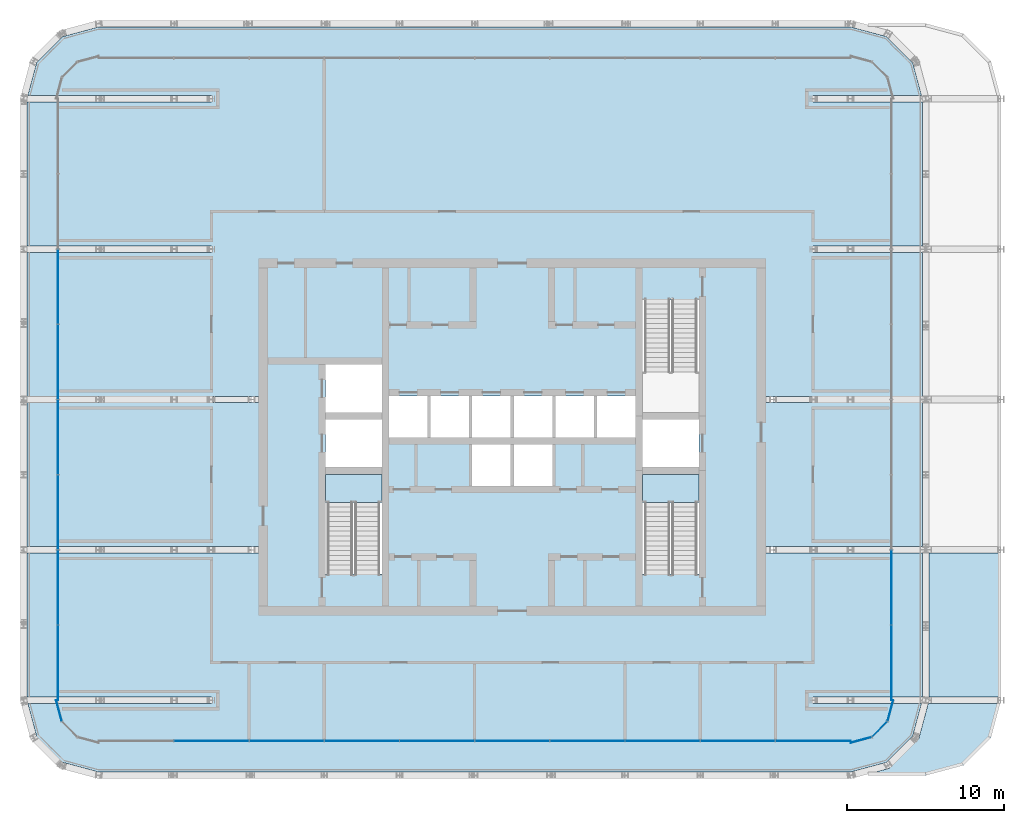
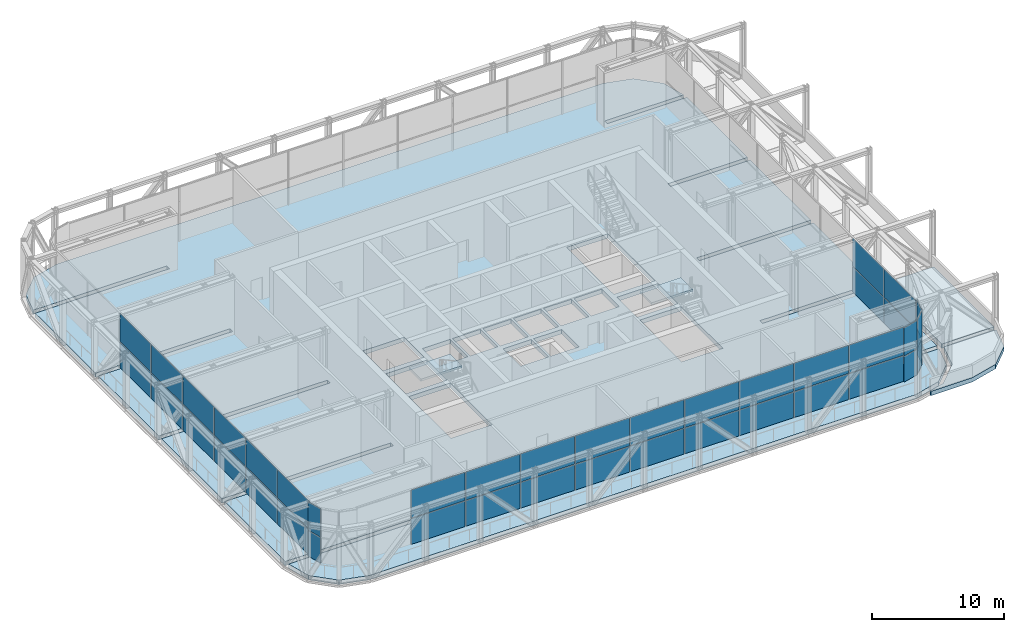
# One storey, part 16 of 26: 42 plates, 5 slabs, 7 elements without a shape of their own.
"""IFC4 building model written with IfcOpenShell, lengths in metres."""

from ifc_helpers import new_model, si_unit, direction, frame, origin, origin_2d, place, context, subcontext, project, spatial, polyline, rectangle, outline, extrude, material, layer, layer_set, type_object, element, aggregate, save


model = new_model("IFC4")

# Units and contexts
model_context = context("Model", 3, precision=1e-05, world=origin(), true_north=direction((0.0, 1.0)))
body_context = subcontext(model_context, "Body", "Model", "MODEL_VIEW")
ifc_project = project(units=[si_unit("LENGTHUNIT", "METRE"), si_unit("AREAUNIT", "SQUARE_METRE"), si_unit("VOLUMEUNIT", "CUBIC_METRE"), si_unit("PLANEANGLEUNIT", "RADIAN"), si_unit("MASSUNIT", "GRAM", prefix="KILO")], contexts=[model_context])

# Site, building, storey
site_placement = place(None, origin())
site = spatial("IfcSite", under=ifc_project, at=site_placement, CompositionType="ELEMENT")
building_placement = place(site_placement, origin())
building = spatial("IfcBuilding", under=site, at=building_placement, Name="Madar Terraces", CompositionType="ELEMENT")
storey_placement = place(building_placement, frame((0.0, 0.0, 233.300048828125)))
storey = spatial("IfcBuildingStorey", under=building, at=storey_placement, Name="L61", CompositionType="ELEMENT", Elevation=233.300048828125)

# Slab
ifc_material_1 = material(Name="Concrete C50/60", Category="concrete")
ifc_layer_1 = layer(ifc_material_1, 0.39990234375)
ifc_layer_set_1 = layer_set([ifc_layer_1], Name="FS6 PT flat slab 400")
slab_type_1 = type_object("IfcSlabType", Name="FS6 PT flat slab 400", PredefinedType="FLOOR", material=ifc_layer_set_1)
slab_1_placement = place(storey_placement, frame((0.0, 0.0, -0.400146484375)))
element("IfcSlab", 1, at=slab_1_placement, inside=storey, type_object=slab_type_1, Name="Floor slab L61 (1)", PredefinedType="FLOOR", context=body_context, shape_type="SweptSolid", body=[
    extrude(outline(polyline([(4.826904296875, 5.00439453125), (52.773193359375, 5.00439453125), (55.09423828125, 5.62646484375), (56.773681640625, 7.305908203125), (57.33349609375, 9.3955078125), (50.39990234375, 9.3955078125), (50.39990234375, 9.804443359375), (57.3955078125, 9.804443359375), (57.3955078125, 18.99560546875), (47.39990234375, 18.99560546875), (47.39990234375, 19.404541015625), (57.3955078125, 19.404541015625), (57.3955078125, 28.595458984375), (47.39990234375, 28.595458984375), (47.39990234375, 29.00439453125), (57.3955078125, 29.00439453125), (57.3955078125, 38.195556640625), (50.39990234375, 38.195556640625), (50.39990234375, 38.6044921875), (57.3955078125, 38.6044921875), (57.3955078125, 47.79541015625), (50.39990234375, 47.79541015625), (50.39990234375, 48.20458984375), (57.33349609375, 48.20458984375), (56.773681640625, 50.294189453125), (55.09423828125, 51.9736328125), (52.773193359375, 52.595458984375), (4.826904296875, 52.595458984375), (2.505859375, 51.9736328125), (0.826416015625, 50.294189453125), (0.266357421875, 48.20458984375), (12.0, 48.20458984375), (12.0, 47.79541015625), (0.20458984375, 47.79541015625), (0.20458984375, 38.6044921875), (12.0, 38.6044921875), (12.0, 38.195556640625), (0.20458984375, 38.195556640625), (0.20458984375, 29.00439453125), (15.0, 29.00439453125), (15.0, 28.595458984375), (0.20458984375, 28.595458984375), (0.20458984375, 19.404541015625), (15.0, 19.404541015625), (15.0, 18.99560546875), (0.20458984375, 18.99560546875), (0.20458984375, 9.804443359375), (12.0, 9.804443359375), (12.0, 9.3955078125), (0.266357421875, 9.3955078125), (0.826416015625, 7.305908203125), (2.505859375, 5.62646484375), (4.826904296875, 5.00439453125)]), holes=[polyline([(22.875, 17.64990234375), (19.27490234375, 17.64990234375), (19.27490234375, 24.02490234375), (22.875, 24.02490234375), (22.875, 17.64990234375)]), polyline([(28.6416015625, 23.27490234375), (28.6416015625, 25.925048828125), (31.10009765625, 25.925048828125), (31.10009765625, 23.27490234375), (28.6416015625, 23.27490234375)]), polyline([(19.27490234375, 24.47509765625), (19.27490234375, 27.52490234375), (22.875, 27.52490234375), (22.875, 24.47509765625), (19.27490234375, 24.47509765625)]), polyline([(23.324951171875, 26.375), (23.324951171875, 29.02490234375), (25.783447265625, 29.02490234375), (25.783447265625, 26.375), (23.324951171875, 26.375)]), polyline([(25.9833984375, 26.375), (25.9833984375, 29.02490234375), (28.441650390625, 29.02490234375), (28.441650390625, 26.375), (25.9833984375, 26.375)]), polyline([(28.6416015625, 26.375), (28.6416015625, 29.02490234375), (31.10009765625, 29.02490234375), (31.10009765625, 26.375), (28.6416015625, 26.375)]), polyline([(19.27490234375, 27.97509765625), (19.27490234375, 31.02490234375), (22.875, 31.02490234375), (22.875, 27.97509765625), (19.27490234375, 27.97509765625)]), polyline([(43.125, 17.64990234375), (39.52490234375, 17.64990234375), (39.52490234375, 24.02490234375), (43.125, 24.02490234375), (43.125, 17.64990234375)]), polyline([(31.300048828125, 23.27490234375), (31.300048828125, 25.925048828125), (33.75830078125, 25.925048828125), (33.75830078125, 23.27490234375), (31.300048828125, 23.27490234375)]), polyline([(39.52490234375, 24.47509765625), (39.52490234375, 27.52490234375), (43.125, 27.52490234375), (43.125, 24.47509765625), (39.52490234375, 24.47509765625)]), polyline([(31.300048828125, 26.375), (31.300048828125, 29.02490234375), (33.75830078125, 29.02490234375), (33.75830078125, 26.375), (31.300048828125, 26.375)]), polyline([(33.958251953125, 26.375), (33.958251953125, 29.02490234375), (36.416748046875, 29.02490234375), (36.416748046875, 26.375), (33.958251953125, 26.375)]), polyline([(36.61669921875, 26.375), (36.61669921875, 29.02490234375), (39.074951171875, 29.02490234375), (39.074951171875, 26.375), (36.61669921875, 26.375)]), polyline([(39.52490234375, 27.97509765625), (39.52490234375, 35.14990234375), (43.125, 35.14990234375), (43.125, 27.97509765625), (39.52490234375, 27.97509765625)])]), origin(), (0.0, 0.0, 1.0), 0.400146484375),
])

# Curtain wall, plates
ifc_material_2 = material(Name="Glass, ceramic frit dark grey, with black aluminium frame", Category="aluminium")
ifc_layer_2 = layer(ifc_material_2, 0.199951171875)
ifc_layer_set_2 = layer_set([ifc_layer_2], Name="Facade curtain wall, tall glazing")
curtain_wall_type = type_object("IfcCurtainWallType", Name="Facade curtain wall, tall glazing", PredefinedType="NOTDEFINED", material=ifc_layer_set_2)
curtain_wall_1_placement = place(storey_placement, origin())
curtain_wall_1 = element("IfcCurtainWall", 2, at=curtain_wall_1_placement, inside=storey, type_object=curtain_wall_type, Name="Outer skin curtain wall south bay 1", PredefinedType="NOTDEFINED")
ifc_material_3 = material(Name="Glass, ceramic frit dark grey", Category="glass")
ifc_layer_3 = layer(ifc_material_3, 0.028076171875)
ifc_layer_set_3 = layer_set([ifc_layer_3], Name="Facade glass panel 28")
plate_type = type_object("IfcPlateType", Name="Facade glass panel 28", PredefinedType="CURTAIN_PANEL", material=ifc_layer_set_3)
plate_1_placement = place(storey_placement, frame((12.0, 7.0, 0.0), z_axis=(0.0, 0.0, 1.0), x_axis=(1.0, 0.0, 0.0)))
plate_1 = element("IfcPlate", 3, at=plate_1_placement, type_object=plate_type, Name="Panel 3", PredefinedType="CURTAIN_PANEL", context=body_context, shape_type="SweptSolid", body=[
    extrude(rectangle(XDim=4.739990234375, YDim=0.028076171875, at=origin_2d()), origin(), (0.0, 0.0, 1.0), 2.3701171875),
])
plate_2_placement = place(storey_placement, frame((12.0, 7.0, 2.4296875), z_axis=(0.0, 0.0, 1.0), x_axis=(1.0, 0.0, 0.0)))
plate_2 = element("IfcPlate", 4, at=plate_2_placement, type_object=plate_type, Name="Panel 4", PredefinedType="CURTAIN_PANEL", context=body_context, shape_type="SweptSolid", body=[
    extrude(rectangle(XDim=4.739990234375, YDim=0.028076171875, at=origin_2d()), origin(), (0.0, 0.0, 1.0), 2.610107421875),
])
plate_3_placement = place(storey_placement, frame((16.800048828125, 7.0, 0.0), z_axis=(0.0, 0.0, 1.0), x_axis=(1.0, 0.0, 0.0)))
plate_3 = element("IfcPlate", 5, at=plate_3_placement, type_object=plate_type, Name="Panel 5", PredefinedType="CURTAIN_PANEL", context=body_context, shape_type="SweptSolid", body=[
    extrude(rectangle(XDim=4.739990234375, YDim=0.028076171875, at=origin_2d()), origin(), (0.0, 0.0, 1.0), 2.3701171875),
])
plate_4_placement = place(storey_placement, frame((16.800048828125, 7.0, 2.4296875), z_axis=(0.0, 0.0, 1.0), x_axis=(1.0, 0.0, 0.0)))
plate_4 = element("IfcPlate", 6, at=plate_4_placement, type_object=plate_type, Name="Panel 6", PredefinedType="CURTAIN_PANEL", context=body_context, shape_type="SweptSolid", body=[
    extrude(rectangle(XDim=4.739990234375, YDim=0.028076171875, at=origin_2d()), origin(), (0.0, 0.0, 1.0), 2.610107421875),
])
plate_5_placement = place(storey_placement, frame((21.60009765625, 7.0, 0.0), z_axis=(0.0, 0.0, 1.0), x_axis=(1.0, 0.0, 0.0)))
plate_5 = element("IfcPlate", 7, at=plate_5_placement, type_object=plate_type, Name="Panel 7", PredefinedType="CURTAIN_PANEL", context=body_context, shape_type="SweptSolid", body=[
    extrude(rectangle(XDim=4.739990234375, YDim=0.028076171875, at=origin_2d()), origin(), (0.0, 0.0, 1.0), 2.3701171875),
])
plate_6_placement = place(storey_placement, frame((21.60009765625, 7.0, 2.4296875), z_axis=(0.0, 0.0, 1.0), x_axis=(1.0, 0.0, 0.0)))
plate_6 = element("IfcPlate", 8, at=plate_6_placement, type_object=plate_type, Name="Panel 8", PredefinedType="CURTAIN_PANEL", context=body_context, shape_type="SweptSolid", body=[
    extrude(rectangle(XDim=4.739990234375, YDim=0.028076171875, at=origin_2d()), origin(), (0.0, 0.0, 1.0), 2.610107421875),
])
plate_7_placement = place(storey_placement, frame((26.39990234375, 7.0, 0.0), z_axis=(0.0, 0.0, 1.0), x_axis=(1.0, 0.0, 0.0)))
plate_7 = element("IfcPlate", 9, at=plate_7_placement, type_object=plate_type, Name="Panel 9", PredefinedType="CURTAIN_PANEL", context=body_context, shape_type="SweptSolid", body=[
    extrude(rectangle(XDim=4.739990234375, YDim=0.028076171875, at=origin_2d()), origin(), (0.0, 0.0, 1.0), 2.3701171875),
])
plate_8_placement = place(storey_placement, frame((26.39990234375, 7.0, 2.4296875), z_axis=(0.0, 0.0, 1.0), x_axis=(1.0, 0.0, 0.0)))
plate_8 = element("IfcPlate", 10, at=plate_8_placement, type_object=plate_type, Name="Panel 10", PredefinedType="CURTAIN_PANEL", context=body_context, shape_type="SweptSolid", body=[
    extrude(rectangle(XDim=4.739990234375, YDim=0.028076171875, at=origin_2d()), origin(), (0.0, 0.0, 1.0), 2.610107421875),
])
plate_9_placement = place(storey_placement, frame((31.199951171875, 7.0, 0.0), z_axis=(0.0, 0.0, 1.0), x_axis=(1.0, 0.0, 0.0)))
plate_9 = element("IfcPlate", 11, at=plate_9_placement, type_object=plate_type, Name="Panel 11", PredefinedType="CURTAIN_PANEL", context=body_context, shape_type="SweptSolid", body=[
    extrude(rectangle(XDim=4.739990234375, YDim=0.028076171875, at=origin_2d()), origin(), (0.0, 0.0, 1.0), 2.3701171875),
])
plate_10_placement = place(storey_placement, frame((31.199951171875, 7.0, 2.4296875), z_axis=(0.0, 0.0, 1.0), x_axis=(1.0, 0.0, 0.0)))
plate_10 = element("IfcPlate", 12, at=plate_10_placement, type_object=plate_type, Name="Panel 12", PredefinedType="CURTAIN_PANEL", context=body_context, shape_type="SweptSolid", body=[
    extrude(rectangle(XDim=4.739990234375, YDim=0.028076171875, at=origin_2d()), origin(), (0.0, 0.0, 1.0), 2.610107421875),
])
plate_11_placement = place(storey_placement, frame((36.0, 7.0, 0.0), z_axis=(0.0, 0.0, 1.0), x_axis=(1.0, 0.0, 0.0)))
plate_11 = element("IfcPlate", 13, at=plate_11_placement, type_object=plate_type, Name="Panel 13", PredefinedType="CURTAIN_PANEL", context=body_context, shape_type="SweptSolid", body=[
    extrude(rectangle(XDim=4.739990234375, YDim=0.028076171875, at=origin_2d()), origin(), (0.0, 0.0, 1.0), 2.3701171875),
])
plate_12_placement = place(storey_placement, frame((36.0, 7.0, 2.4296875), z_axis=(0.0, 0.0, 1.0), x_axis=(1.0, 0.0, 0.0)))
plate_12 = element("IfcPlate", 14, at=plate_12_placement, type_object=plate_type, Name="Panel 14", PredefinedType="CURTAIN_PANEL", context=body_context, shape_type="SweptSolid", body=[
    extrude(rectangle(XDim=4.739990234375, YDim=0.028076171875, at=origin_2d()), origin(), (0.0, 0.0, 1.0), 2.610107421875),
])
plate_13_placement = place(storey_placement, frame((40.800048828125, 7.0, 0.0), z_axis=(0.0, 0.0, 1.0), x_axis=(1.0, 0.0, 0.0)))
plate_13 = element("IfcPlate", 15, at=plate_13_placement, type_object=plate_type, Name="Panel 15", PredefinedType="CURTAIN_PANEL", context=body_context, shape_type="SweptSolid", body=[
    extrude(rectangle(XDim=4.739990234375, YDim=0.028076171875, at=origin_2d()), origin(), (0.0, 0.0, 1.0), 2.3701171875),
])
plate_14_placement = place(storey_placement, frame((40.800048828125, 7.0, 2.4296875), z_axis=(0.0, 0.0, 1.0), x_axis=(1.0, 0.0, 0.0)))
plate_14 = element("IfcPlate", 16, at=plate_14_placement, type_object=plate_type, Name="Panel 16", PredefinedType="CURTAIN_PANEL", context=body_context, shape_type="SweptSolid", body=[
    extrude(rectangle(XDim=4.739990234375, YDim=0.028076171875, at=origin_2d()), origin(), (0.0, 0.0, 1.0), 2.610107421875),
])
plate_15_placement = place(storey_placement, frame((45.60009765625, 7.0, 0.0), z_axis=(0.0, 0.0, 1.0), x_axis=(1.0, 0.0, 0.0)))
plate_15 = element("IfcPlate", 17, at=plate_15_placement, type_object=plate_type, Name="Panel 17", PredefinedType="CURTAIN_PANEL", context=body_context, shape_type="SweptSolid", body=[
    extrude(rectangle(XDim=4.739990234375, YDim=0.028076171875, at=origin_2d()), origin(), (0.0, 0.0, 1.0), 2.3701171875),
])
plate_16_placement = place(storey_placement, frame((45.60009765625, 7.0, 2.4296875), z_axis=(0.0, 0.0, 1.0), x_axis=(1.0, 0.0, 0.0)))
plate_16 = element("IfcPlate", 18, at=plate_16_placement, type_object=plate_type, Name="Panel 18", PredefinedType="CURTAIN_PANEL", context=body_context, shape_type="SweptSolid", body=[
    extrude(rectangle(XDim=4.739990234375, YDim=0.028076171875, at=origin_2d()), origin(), (0.0, 0.0, 1.0), 2.610107421875),
])
plate_17_placement = place(storey_placement, frame((50.4150390625, 7.0, 0.0), z_axis=(0.0, 0.0, 1.0), x_axis=(1.0, 0.0, 0.0)))
plate_17 = element("IfcPlate", 19, at=plate_17_placement, type_object=plate_type, Name="Panel 19", PredefinedType="CURTAIN_PANEL", context=body_context, shape_type="SweptSolid", body=[
    extrude(rectangle(XDim=4.77001953125, YDim=0.028076171875, at=origin_2d()), origin(), (0.0, 0.0, 1.0), 2.3701171875),
])
plate_18_placement = place(storey_placement, frame((50.4150390625, 7.0, 2.4296875), z_axis=(0.0, 0.0, 1.0), x_axis=(1.0, 0.0, 0.0)))
plate_18 = element("IfcPlate", 20, at=plate_18_placement, type_object=plate_type, Name="Panel 20", PredefinedType="CURTAIN_PANEL", context=body_context, shape_type="SweptSolid", body=[
    extrude(rectangle(XDim=4.77001953125, YDim=0.028076171875, at=origin_2d()), origin(), (0.0, 0.0, 1.0), 2.610107421875),
])
aggregate(curtain_wall_1, [plate_1, plate_2, plate_3, plate_4, plate_5, plate_6, plate_7, plate_8, plate_9, plate_10, plate_11, plate_12, plate_13, plate_14, plate_15, plate_16, plate_17, plate_18])

curtain_wall_2_placement = place(storey_placement, origin())
curtain_wall_2 = element("IfcCurtainWall", 21, at=curtain_wall_2_placement, inside=storey, type_object=curtain_wall_type, Name="Outer skin curtain wall east bay 1", PredefinedType="NOTDEFINED")
plate_19_placement = place(storey_placement, frame((55.39990234375, 11.985107421875, 0.0), z_axis=(0.0, 0.0, 1.0), x_axis=(0.0, 1.0, 0.0)))
plate_19 = element("IfcPlate", 22, at=plate_19_placement, type_object=plate_type, Name="Panel 1", PredefinedType="CURTAIN_PANEL", context=body_context, shape_type="SweptSolid", body=[
    extrude(rectangle(XDim=4.77001953125, YDim=0.028076171875, at=origin_2d()), origin(), (0.0, 0.0, 1.0), 2.3701171875),
])
plate_20_placement = place(storey_placement, frame((55.39990234375, 11.985107421875, 2.4296875), z_axis=(0.0, 0.0, 1.0), x_axis=(0.0, 1.0, 0.0)))
plate_20 = element("IfcPlate", 23, at=plate_20_placement, type_object=plate_type, Name="Panel 2", PredefinedType="CURTAIN_PANEL", context=body_context, shape_type="SweptSolid", body=[
    extrude(rectangle(XDim=4.77001953125, YDim=0.028076171875, at=origin_2d()), origin(), (0.0, 0.0, 1.0), 2.610107421875),
])
plate_21_placement = place(storey_placement, frame((55.39990234375, 16.800048828125, 0.0), z_axis=(0.0, 0.0, 1.0), x_axis=(0.0, 1.0, 0.0)))
plate_21 = element("IfcPlate", 24, at=plate_21_placement, type_object=plate_type, Name="Panel 3", PredefinedType="CURTAIN_PANEL", context=body_context, shape_type="SweptSolid", body=[
    extrude(rectangle(XDim=4.739990234375, YDim=0.028076171875, at=origin_2d()), origin(), (0.0, 0.0, 1.0), 2.3701171875),
])
plate_22_placement = place(storey_placement, frame((55.39990234375, 16.800048828125, 2.4296875), z_axis=(0.0, 0.0, 1.0), x_axis=(0.0, 1.0, 0.0)))
plate_22 = element("IfcPlate", 25, at=plate_22_placement, type_object=plate_type, Name="Panel 4", PredefinedType="CURTAIN_PANEL", context=body_context, shape_type="SweptSolid", body=[
    extrude(rectangle(XDim=4.739990234375, YDim=0.028076171875, at=origin_2d()), origin(), (0.0, 0.0, 1.0), 2.610107421875),
])
aggregate(curtain_wall_2, [plate_19, plate_20, plate_21, plate_22])

curtain_wall_3_placement = place(storey_placement, origin())
curtain_wall_3 = element("IfcCurtainWall", 26, at=curtain_wall_3_placement, inside=storey, type_object=curtain_wall_type, Name="Outer skin curtain wall west bay 1", PredefinedType="NOTDEFINED")
plate_23_placement = place(storey_placement, frame((2.199951171875, 36.0, 0.0), z_axis=(0.0, 0.0, 1.0), x_axis=(0.0, -1.0, 0.0)))
plate_23 = element("IfcPlate", 27, at=plate_23_placement, type_object=plate_type, Name="Panel 5", PredefinedType="CURTAIN_PANEL", context=body_context, shape_type="SweptSolid", body=[
    extrude(rectangle(XDim=4.739990234375, YDim=0.028076171875, at=origin_2d()), origin(), (0.0, 0.0, 1.0), 2.3701171875),
])
plate_24_placement = place(storey_placement, frame((2.199951171875, 36.0, 2.4296875), z_axis=(0.0, 0.0, 1.0), x_axis=(0.0, -1.0, 0.0)))
plate_24 = element("IfcPlate", 28, at=plate_24_placement, type_object=plate_type, Name="Panel 6", PredefinedType="CURTAIN_PANEL", context=body_context, shape_type="SweptSolid", body=[
    extrude(rectangle(XDim=4.739990234375, YDim=0.028076171875, at=origin_2d()), origin(), (0.0, 0.0, 1.0), 2.610107421875),
])
plate_25_placement = place(storey_placement, frame((2.199951171875, 31.199951171875, 0.0), z_axis=(0.0, 0.0, 1.0), x_axis=(0.0, -1.0, 0.0)))
plate_25 = element("IfcPlate", 29, at=plate_25_placement, type_object=plate_type, Name="Panel 7", PredefinedType="CURTAIN_PANEL", context=body_context, shape_type="SweptSolid", body=[
    extrude(rectangle(XDim=4.739990234375, YDim=0.028076171875, at=origin_2d()), origin(), (0.0, 0.0, 1.0), 2.3701171875),
])
plate_26_placement = place(storey_placement, frame((2.199951171875, 31.199951171875, 2.4296875), z_axis=(0.0, 0.0, 1.0), x_axis=(0.0, -1.0, 0.0)))
plate_26 = element("IfcPlate", 30, at=plate_26_placement, type_object=plate_type, Name="Panel 8", PredefinedType="CURTAIN_PANEL", context=body_context, shape_type="SweptSolid", body=[
    extrude(rectangle(XDim=4.739990234375, YDim=0.028076171875, at=origin_2d()), origin(), (0.0, 0.0, 1.0), 2.610107421875),
])
plate_27_placement = place(storey_placement, frame((2.199951171875, 26.39990234375, 0.0), z_axis=(0.0, 0.0, 1.0), x_axis=(0.0, -1.0, 0.0)))
plate_27 = element("IfcPlate", 31, at=plate_27_placement, type_object=plate_type, Name="Panel 9", PredefinedType="CURTAIN_PANEL", context=body_context, shape_type="SweptSolid", body=[
    extrude(rectangle(XDim=4.739990234375, YDim=0.028076171875, at=origin_2d()), origin(), (0.0, 0.0, 1.0), 2.3701171875),
])
plate_28_placement = place(storey_placement, frame((2.199951171875, 26.39990234375, 2.4296875), z_axis=(0.0, 0.0, 1.0), x_axis=(0.0, -1.0, 0.0)))
plate_28 = element("IfcPlate", 32, at=plate_28_placement, type_object=plate_type, Name="Panel 10", PredefinedType="CURTAIN_PANEL", context=body_context, shape_type="SweptSolid", body=[
    extrude(rectangle(XDim=4.739990234375, YDim=0.028076171875, at=origin_2d()), origin(), (0.0, 0.0, 1.0), 2.610107421875),
])
plate_29_placement = place(storey_placement, frame((2.199951171875, 21.60009765625, 0.0), z_axis=(0.0, 0.0, 1.0), x_axis=(0.0, -1.0, 0.0)))
plate_29 = element("IfcPlate", 33, at=plate_29_placement, type_object=plate_type, Name="Panel 11", PredefinedType="CURTAIN_PANEL", context=body_context, shape_type="SweptSolid", body=[
    extrude(rectangle(XDim=4.739990234375, YDim=0.028076171875, at=origin_2d()), origin(), (0.0, 0.0, 1.0), 2.3701171875),
])
plate_30_placement = place(storey_placement, frame((2.199951171875, 21.60009765625, 2.4296875), z_axis=(0.0, 0.0, 1.0), x_axis=(0.0, -1.0, 0.0)))
plate_30 = element("IfcPlate", 34, at=plate_30_placement, type_object=plate_type, Name="Panel 12", PredefinedType="CURTAIN_PANEL", context=body_context, shape_type="SweptSolid", body=[
    extrude(rectangle(XDim=4.739990234375, YDim=0.028076171875, at=origin_2d()), origin(), (0.0, 0.0, 1.0), 2.610107421875),
])
plate_31_placement = place(storey_placement, frame((2.199951171875, 16.800048828125, 0.0), z_axis=(0.0, 0.0, 1.0), x_axis=(0.0, -1.0, 0.0)))
plate_31 = element("IfcPlate", 35, at=plate_31_placement, type_object=plate_type, Name="Panel 13", PredefinedType="CURTAIN_PANEL", context=body_context, shape_type="SweptSolid", body=[
    extrude(rectangle(XDim=4.739990234375, YDim=0.028076171875, at=origin_2d()), origin(), (0.0, 0.0, 1.0), 2.3701171875),
])
plate_32_placement = place(storey_placement, frame((2.199951171875, 16.800048828125, 2.4296875), z_axis=(0.0, 0.0, 1.0), x_axis=(0.0, -1.0, 0.0)))
plate_32 = element("IfcPlate", 36, at=plate_32_placement, type_object=plate_type, Name="Panel 14", PredefinedType="CURTAIN_PANEL", context=body_context, shape_type="SweptSolid", body=[
    extrude(rectangle(XDim=4.739990234375, YDim=0.028076171875, at=origin_2d()), origin(), (0.0, 0.0, 1.0), 2.610107421875),
])
plate_33_placement = place(storey_placement, frame((2.199951171875, 11.985107421875, 0.0), z_axis=(0.0, 0.0, 1.0), x_axis=(0.0, -1.0, 0.0)))
plate_33 = element("IfcPlate", 37, at=plate_33_placement, type_object=plate_type, Name="Panel 15", PredefinedType="CURTAIN_PANEL", context=body_context, shape_type="SweptSolid", body=[
    extrude(rectangle(XDim=4.77001953125, YDim=0.028076171875, at=origin_2d()), origin(), (0.0, 0.0, 1.0), 2.3701171875),
])
plate_34_placement = place(storey_placement, frame((2.199951171875, 11.985107421875, 2.4296875), z_axis=(0.0, 0.0, 1.0), x_axis=(0.0, -1.0, 0.0)))
plate_34 = element("IfcPlate", 38, at=plate_34_placement, type_object=plate_type, Name="Panel 16", PredefinedType="CURTAIN_PANEL", context=body_context, shape_type="SweptSolid", body=[
    extrude(rectangle(XDim=4.77001953125, YDim=0.028076171875, at=origin_2d()), origin(), (0.0, 0.0, 1.0), 2.610107421875),
])
aggregate(curtain_wall_3, [plate_23, plate_24, plate_25, plate_26, plate_27, plate_28, plate_29, plate_30, plate_31, plate_32, plate_33, plate_34])

curtain_wall_4_placement = place(storey_placement, origin())
curtain_wall_4 = element("IfcCurtainWall", 39, at=curtain_wall_4_placement, inside=storey, type_object=curtain_wall_type, Name="Outer skin curtain wall south-east corner", PredefinedType="NOTDEFINED")
plate_35_placement = place(storey_placement, frame((53.465576171875, 7.058349609375, 0.0), z_axis=(0.0, 0.0, 1.0), x_axis=(0.965925808834, 0.258819110244, 0.0)))
plate_35 = element("IfcPlate", 40, at=plate_35_placement, type_object=plate_type, Name="Panel 1", PredefinedType="CURTAIN_PANEL", context=body_context, shape_type="SweptSolid", body=[
    extrude(rectangle(XDim=1.3779296875, YDim=0.028076171875, at=origin_2d()), origin(), (0.0, 0.0, 1.0), 2.3701171875),
])
plate_36_placement = place(storey_placement, frame((53.465576171875, 7.058349609375, 2.4296875), z_axis=(0.0, 0.0, 1.0), x_axis=(0.965925808834, 0.258819110244, 0.0)))
plate_36 = element("IfcPlate", 41, at=plate_36_placement, type_object=plate_type, Name="Panel 2", PredefinedType="CURTAIN_PANEL", context=body_context, shape_type="SweptSolid", body=[
    extrude(rectangle(XDim=1.3779296875, YDim=0.028076171875, at=origin_2d()), origin(), (0.0, 0.0, 1.0), 2.610107421875),
])
plate_37_placement = place(storey_placement, frame((54.65771484375, 7.7421875, 0.0), z_axis=(0.0, 0.0, 1.0), x_axis=(0.707106781187, 0.707106781187, 0.0)))
plate_37 = element("IfcPlate", 42, at=plate_37_placement, type_object=plate_type, Name="Panel 3", PredefinedType="CURTAIN_PANEL", context=body_context, shape_type="SweptSolid", body=[
    extrude(rectangle(XDim=1.347900390625, YDim=0.028076171875, at=origin_2d()), origin(), (0.0, 0.0, 1.0), 2.3701171875),
])
plate_38_placement = place(storey_placement, frame((54.65771484375, 7.7421875, 2.4296875), z_axis=(0.0, 0.0, 1.0), x_axis=(0.707106781187, 0.707106781187, 0.0)))
plate_38 = element("IfcPlate", 43, at=plate_38_placement, type_object=plate_type, Name="Panel 4", PredefinedType="CURTAIN_PANEL", context=body_context, shape_type="SweptSolid", body=[
    extrude(rectangle(XDim=1.347900390625, YDim=0.028076171875, at=origin_2d()), origin(), (0.0, 0.0, 1.0), 2.610107421875),
])
plate_39_placement = place(storey_placement, frame((55.341796875, 8.9345703125, 0.0), z_axis=(0.0, 0.0, 1.0), x_axis=(0.258819110244, 0.965925808834, 0.0)))
plate_39 = element("IfcPlate", 44, at=plate_39_placement, type_object=plate_type, Name="Panel 5", PredefinedType="CURTAIN_PANEL", context=body_context, shape_type="SweptSolid", body=[
    extrude(rectangle(XDim=1.3779296875, YDim=0.028076171875, at=origin_2d()), origin(), (0.0, 0.0, 1.0), 2.3701171875),
])
plate_40_placement = place(storey_placement, frame((55.341796875, 8.9345703125, 2.4296875), z_axis=(0.0, 0.0, 1.0), x_axis=(0.258819110244, 0.965925808834, 0.0)))
plate_40 = element("IfcPlate", 45, at=plate_40_placement, type_object=plate_type, Name="Panel 6", PredefinedType="CURTAIN_PANEL", context=body_context, shape_type="SweptSolid", body=[
    extrude(rectangle(XDim=1.3779296875, YDim=0.028076171875, at=origin_2d()), origin(), (0.0, 0.0, 1.0), 2.610107421875),
])
aggregate(curtain_wall_4, [plate_35, plate_36, plate_37, plate_38, plate_39, plate_40])

curtain_wall_5_placement = place(storey_placement, origin())
curtain_wall_5 = element("IfcCurtainWall", 46, at=curtain_wall_5_placement, inside=storey, type_object=curtain_wall_type, Name="Outer skin curtain wall south-west corner", PredefinedType="NOTDEFINED")
plate_41_placement = place(storey_placement, frame((2.25830078125, 8.9345703125, 0.0), z_axis=(0.0, 0.0, 1.0), x_axis=(0.258819110244, -0.965925808834, 0.0)))
plate_41 = element("IfcPlate", 47, at=plate_41_placement, type_object=plate_type, Name="Panel 1", PredefinedType="CURTAIN_PANEL", context=body_context, shape_type="SweptSolid", body=[
    extrude(rectangle(XDim=1.3779296875, YDim=0.028076171875, at=origin_2d()), origin(), (0.0, 0.0, 1.0), 2.3701171875),
])
plate_42_placement = place(storey_placement, frame((2.25830078125, 8.9345703125, 2.4296875), z_axis=(0.0, 0.0, 1.0), x_axis=(0.258819110244, -0.965925808834, 0.0)))
plate_42 = element("IfcPlate", 48, at=plate_42_placement, type_object=plate_type, Name="Panel 2", PredefinedType="CURTAIN_PANEL", context=body_context, shape_type="SweptSolid", body=[
    extrude(rectangle(XDim=1.3779296875, YDim=0.028076171875, at=origin_2d()), origin(), (0.0, 0.0, 1.0), 2.610107421875),
])
aggregate(curtain_wall_5, [plate_41, plate_42])

# Stair, slab
ifc_material_4 = material(Name="Concrete C50/60", Category="concrete")
stair_type_1 = type_object("IfcStairType", Name="Stair ST1 protected exit", PredefinedType="HALF_TURN_STAIR", material=ifc_material_4)
stair_1_placement = place(storey_placement, origin())
stair_1 = element("IfcStair", 49, at=stair_1_placement, inside=storey, type_object=stair_type_1, Name="L61 Protected Exit Stair ST1", PredefinedType="HALF_TURN_STAIR")
ifc_material_5 = material(Name="Concrete C50/60", Category="concrete")
ifc_layer_4 = layer(ifc_material_5, 0.199951171875)
ifc_layer_set_4 = layer_set([ifc_layer_4], Name="Stair landing 200, top +2.70")
slab_type_2 = type_object("IfcSlabType", Name="Stair landing 200, top +2.70", PredefinedType="LANDING", material=ifc_layer_set_4)
slab_2_placement = place(storey_placement, frame((0.0, 0.0, 2.5)))
slab_2 = element("IfcSlab", 50, at=slab_2_placement, type_object=slab_type_2, Name="ST1 landing 1", PredefinedType="LANDING", context=body_context, shape_type="SweptSolid", body=[
    extrude(outline(polyline([(19.27490234375, 22.219970703125), (22.875, 22.219970703125), (22.875, 24.02490234375), (19.27490234375, 24.02490234375), (19.27490234375, 22.219970703125)])), origin(), (0.0, 0.0, 1.0), 0.199951171875),
])
aggregate(stair_1, [slab_2])

ifc_material_6 = material(Name="Concrete C50/60", Category="concrete")
stair_type_2 = type_object("IfcStairType", Name="Stair ST3 protected exit", PredefinedType="HALF_TURN_STAIR", material=ifc_material_6)
stair_2_placement = place(storey_placement, origin())
stair_2 = element("IfcStair", 51, at=stair_2_placement, inside=storey, type_object=stair_type_2, Name="L61 Protected Exit Stair ST3", PredefinedType="HALF_TURN_STAIR")
slab_3_placement = place(storey_placement, frame((0.0, 0.0, 2.5)))
slab_3 = element("IfcSlab", 52, at=slab_3_placement, type_object=slab_type_2, Name="ST3 landing 1", PredefinedType="LANDING", context=body_context, shape_type="SweptSolid", body=[
    extrude(outline(polyline([(39.52490234375, 22.219970703125), (43.125, 22.219970703125), (43.125, 24.02490234375), (39.52490234375, 24.02490234375), (39.52490234375, 22.219970703125)])), origin(), (0.0, 0.0, 1.0), 0.199951171875),
])
aggregate(stair_2, [slab_3])

# Slabs
ifc_material_7 = material(Name="Concrete C50/60", Category="concrete")
ifc_layer_5 = layer(ifc_material_7, 0.39990234375)
ifc_layer_set_5 = layer_set([ifc_layer_5], Name="TS1 PT terrace slab 400")
slab_type_3 = type_object("IfcSlabType", Name="TS1 PT terrace slab 400", PredefinedType="FLOOR", material=ifc_layer_set_5)
slab_4_placement = place(storey_placement, frame((0.0, 0.0, -0.400146484375)))
element("IfcSlab", 53, at=slab_4_placement, inside=storey, type_object=slab_type_3, Name="Terrace roof slab L61 (1)", PredefinedType="FLOOR", context=body_context, shape_type="SweptSolid", body=[
    extrude(outline(polyline([(55.306884765625, 5.2607421875), (55.305908203125, 5.259765625), (55.3046875, 5.259521484375), (53.956787109375, 4.898193359375), (53.9521484375, 4.896728515625), (53.947509765625, 4.894775390625), (53.943359375, 4.892333984375), (53.939208984375, 4.8896484375), (53.935302734375, 4.88623046875), (53.931884765625, 4.8828125), (53.928955078125, 4.87890625), (53.92626953125, 4.87451171875), (53.924072265625, 4.8701171875), (53.92236328125, 4.865478515625), (53.9208984375, 4.86083984375), (53.920166015625, 4.85595703125), (53.919921875, 4.850830078125), (53.919921875, 4.845947265625), (53.920654296875, 4.841064453125), (53.921630859375, 4.836181640625), (53.92333984375, 4.83154296875), (53.92529296875, 4.826904296875), (53.927978515625, 4.82275390625), (53.930908203125, 4.818603515625), (53.93408203125, 4.81494140625), (53.937744140625, 4.8115234375), (53.941650390625, 4.80859375), (53.946044921875, 4.80615234375), (53.950439453125, 4.803955078125), (53.955078125, 4.80224609375), (53.9599609375, 4.801025390625), (53.96484375, 4.80029296875), (53.9697265625, 4.800048828125), (57.593505859375, 4.800048828125), (57.59765625, 4.80029296875), (57.60205078125, 4.80078125), (57.6064453125, 4.8017578125), (59.987060546875, 5.439697265625), (59.991943359375, 5.441162109375), (59.996826171875, 5.443359375), (60.00146484375, 5.446044921875), (60.005615234375, 5.448974609375), (60.009521484375, 5.45263671875), (61.74755859375, 7.1904296875), (61.7509765625, 7.1943359375), (61.75390625, 7.19873046875), (61.756591796875, 7.203125), (61.7587890625, 7.2080078125), (61.760498046875, 7.212890625), (62.328369140625, 9.33251953125), (62.329345703125, 9.33740234375), (62.329833984375, 9.342041015625), (62.330078125, 9.346923828125), (62.32958984375, 9.351806640625), (62.328857421875, 9.3564453125), (62.32763671875, 9.361083984375), (62.325927734375, 9.36572265625), (62.32373046875, 9.369873046875), (62.321044921875, 9.3740234375), (62.318115234375, 9.3779296875), (62.31494140625, 9.38134765625), (62.311279296875, 9.384521484375), (62.307373046875, 9.387451171875), (62.30322265625, 9.389892578125), (62.298828125, 9.391845703125), (62.29443359375, 9.3935546875), (62.28955078125, 9.39453125), (62.284912109375, 9.395263671875), (62.280029296875, 9.3955078125), (57.795166015625, 9.3955078125), (57.790283203125, 9.395263671875), (57.78515625, 9.39453125), (57.7802734375, 9.393310546875), (57.775634765625, 9.3916015625), (57.771240234375, 9.389404296875), (57.766845703125, 9.38671875), (57.762939453125, 9.383544921875), (57.75927734375, 9.380126953125), (57.755859375, 9.37646484375), (57.7529296875, 9.372314453125), (57.75048828125, 9.367919921875), (57.74853515625, 9.36328125), (57.7470703125, 9.3583984375), (57.140625, 7.095458984375), (57.14013671875, 7.09423828125), (57.139404296875, 7.09326171875), (55.306884765625, 5.2607421875)])), origin(), (0.0, 0.0, 1.0), 0.400146484375),
])
slab_5_placement = place(storey_placement, frame((0.0, 0.0, -0.400146484375)))
element("IfcSlab", 54, at=slab_5_placement, inside=storey, type_object=slab_type_3, Name="Terrace roof slab L61 (3)", PredefinedType="FLOOR", context=body_context, shape_type="SweptSolid", body=[
    extrude(outline(polyline([(62.39892578125, 9.8447265625), (62.399658203125, 9.849609375), (62.39990234375, 9.8544921875), (62.39990234375, 18.945556640625), (62.399658203125, 18.950439453125), (62.39892578125, 18.955322265625), (62.39794921875, 18.9599609375), (62.396240234375, 18.964599609375), (62.39404296875, 18.968994140625), (62.3916015625, 18.973388671875), (62.388671875, 18.977294921875), (62.38525390625, 18.98095703125), (62.3818359375, 18.984130859375), (62.377685546875, 18.987060546875), (62.37353515625, 18.98974609375), (62.369140625, 18.99169921875), (62.364501953125, 18.993408203125), (62.35986328125, 18.99462890625), (62.35498046875, 18.995361328125), (62.35009765625, 18.99560546875), (57.8544921875, 18.99560546875), (57.849609375, 18.995361328125), (57.8447265625, 18.99462890625), (57.83984375, 18.993408203125), (57.83544921875, 18.99169921875), (57.830810546875, 18.98974609375), (57.82666015625, 18.987060546875), (57.82275390625, 18.984130859375), (57.819091796875, 18.98095703125), (57.81591796875, 18.977294921875), (57.81298828125, 18.973388671875), (57.810302734375, 18.968994140625), (57.808349609375, 18.964599609375), (57.806640625, 18.9599609375), (57.805419921875, 18.955322265625), (57.8046875, 18.950439453125), (57.804443359375, 18.945556640625), (57.804443359375, 9.8544921875), (57.8046875, 9.849609375), (57.805419921875, 9.8447265625), (57.806640625, 9.83984375), (57.808349609375, 9.83544921875), (57.810302734375, 9.830810546875), (57.81298828125, 9.82666015625), (57.81591796875, 9.82275390625), (57.819091796875, 9.819091796875), (57.82275390625, 9.81591796875), (57.82666015625, 9.81298828125), (57.830810546875, 9.810302734375), (57.83544921875, 9.808349609375), (57.83984375, 9.806640625), (57.8447265625, 9.805419921875), (57.849609375, 9.8046875), (57.8544921875, 9.804443359375), (62.35009765625, 9.804443359375), (62.35498046875, 9.8046875), (62.35986328125, 9.805419921875), (62.364501953125, 9.806640625), (62.369140625, 9.808349609375), (62.37353515625, 9.810302734375), (62.377685546875, 9.81298828125), (62.3818359375, 9.81591796875), (62.38525390625, 9.819091796875), (62.388671875, 9.82275390625), (62.3916015625, 9.82666015625), (62.39404296875, 9.830810546875), (62.396240234375, 9.83544921875), (62.39794921875, 9.83984375), (62.39892578125, 9.8447265625)])), origin(), (0.0, 0.0, 1.0), 0.400146484375),
])

save(model, "model.ifc")
